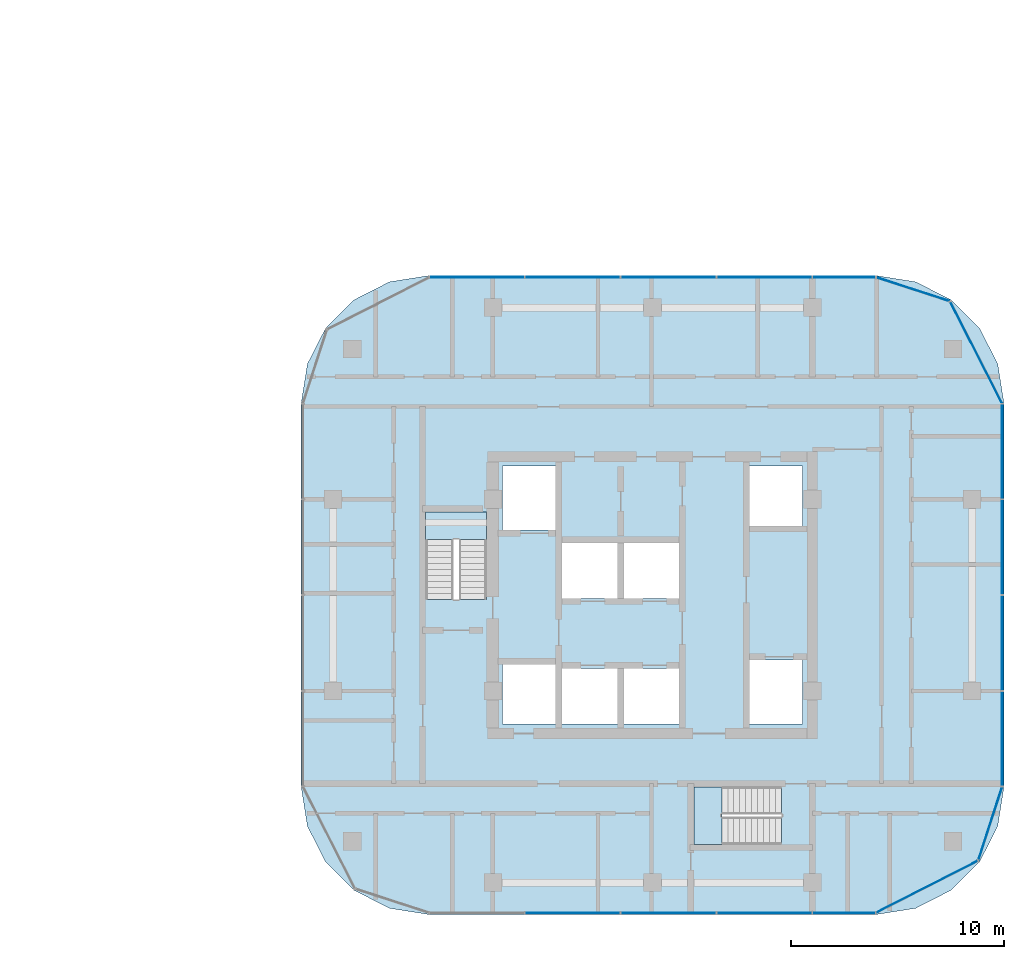
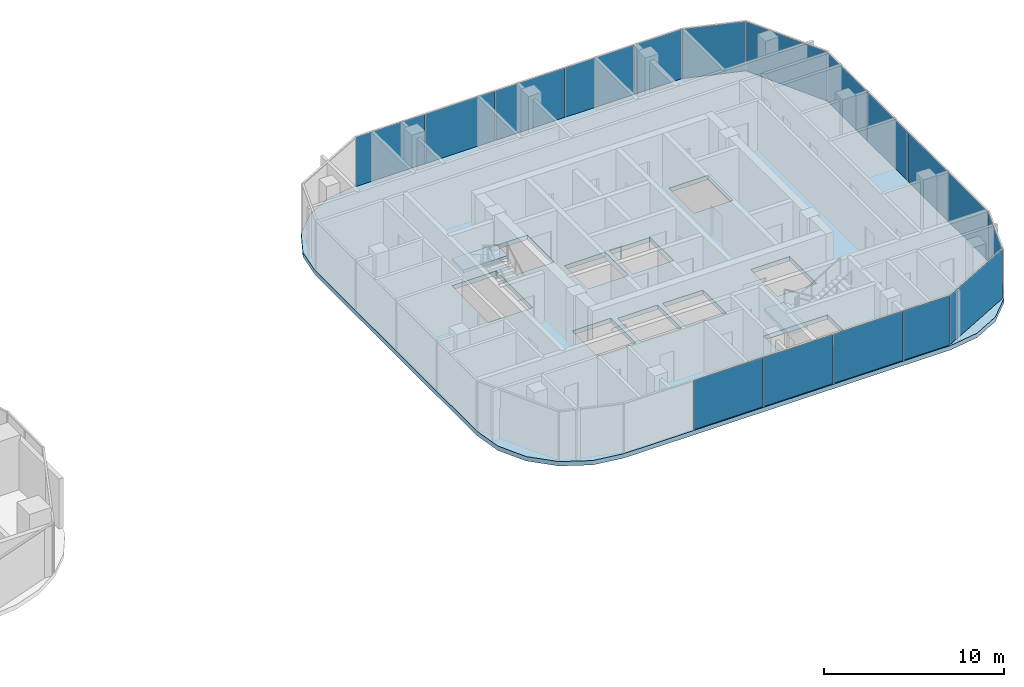
# One storey, part 13 of 31: 17 plates, 3 slabs, 7 elements without a shape of their own.
"""IFC4 building model written with IfcOpenShell, lengths in metres."""

import ifcopenshell
import ifcopenshell.guid

model = None  # the IFC model being written
_history = None  # IfcOwnerHistory: only IFC2X3 demands one
_inside = {}  # id of a spatial element -> (the spatial element, [elements in it])
_under = {}  # id of a project, library or spatial element -> (it, [spatial elements below it])
_declared = {}  # id of a project -> (the project, [libraries it declares])
_typed = {}  # id of a type object -> (the type object, [elements of that type])
_made_of = {}  # id of a material, layer set ... -> (it, [elements and type objects made of it])


def new_model(schema):
    """Start an empty IFC model of exactly this schema.

    Asked for "IFC4X3", IfcOpenShell would pick the latest addendum, in which some entities
    have other attributes; the version numbers below select the first issue.
    IFC2X3 requires an IfcOwnerHistory on every rooted entity: one is made here for all.
    """
    global model, _history
    if schema == "IFC4X3":
        model = ifcopenshell.file(schema_version=(4, 3, 0, 0))
    else:
        model = ifcopenshell.file(schema=schema)
    _inside.clear()
    _under.clear()
    _declared.clear()
    _typed.clear()
    _made_of.clear()
    _history = None
    if model.schema == "IFC2X3":
        org = make("IfcOrganization", Name="unknown")
        user = make(
            "IfcPersonAndOrganization",
            ThePerson=make("IfcPerson", FamilyName="unknown"),
            TheOrganization=org,
        )
        app = make(
            "IfcApplication",
            ApplicationDeveloper=org,
            Version="unknown",
            ApplicationFullName="unknown",
            ApplicationIdentifier="unknown",
        )
        _history = make(
            "IfcOwnerHistory",
            OwningUser=user,
            OwningApplication=app,
            ChangeAction="ADDED",
            CreationDate=0,
        )
    return model


def make(cls, **values):
    """One entity of the class cls with the attributes given. An attribute that is None is left unset."""
    return model.create_entity(
        cls, **{name: value for name, value in values.items() if value is not None}
    )


def rooted(cls, **values):
    """An entity with a GlobalId (a new one), such as an element, a storey or a relation."""
    return make(cls, GlobalId=ifcopenshell.guid.new(), OwnerHistory=_history, **values)


def si_unit(unit_type, name, prefix=None):
    """IfcSIUnit, for example si_unit("LENGTHUNIT", "METRE", prefix="MILLI")."""
    return make("IfcSIUnit", UnitType=unit_type, Prefix=prefix, Name=name)


def assignment(units):
    """IfcUnitAssignment: the units of a project."""
    return None if units is None else make("IfcUnitAssignment", Units=units)


def point(xyz):
    """IfcCartesianPoint."""
    return None if xyz is None else make("IfcCartesianPoint", Coordinates=xyz)


def direction(xyz):
    """IfcDirection."""
    return None if xyz is None else make("IfcDirection", DirectionRatios=xyz)


def frame(location, z_axis=None, x_axis=None):
    """IfcAxis2Placement3D, a coordinate frame: its origin and axes. An axis left out is left unset."""
    return make(
        "IfcAxis2Placement3D",
        Location=point(location),
        Axis=direction(z_axis),
        RefDirection=direction(x_axis),
    )


def frame_2d(location, x_axis=None):
    """IfcAxis2Placement2D, a coordinate frame in the plane: its origin and x axis."""
    return make(
        "IfcAxis2Placement2D", Location=point(location), RefDirection=direction(x_axis)
    )


def origin():
    """The frame at (0, 0, 0) with its axes left unset."""
    return frame((0.0, 0.0, 0.0))


def origin_2d():
    """The frame at (0, 0) in the plane with its x axis left unset."""
    return frame_2d((0.0, 0.0))


def place(relative_to, where):
    """IfcLocalPlacement: puts the frame where relative to a parent placement (None: the world)."""
    return make(
        "IfcLocalPlacement", PlacementRelTo=relative_to, RelativePlacement=where
    )


def context(
    kind, dimensions, precision=None, world=None, true_north=None, identifier=None
):
    """IfcGeometricRepresentationContext, for example the 3D "Model" context."""
    return make(
        "IfcGeometricRepresentationContext",
        ContextIdentifier=identifier,
        ContextType=kind,
        CoordinateSpaceDimension=dimensions,
        Precision=precision,
        WorldCoordinateSystem=world,
        TrueNorth=true_north,
    )


def subcontext(parent, identifier, kind, view, scale=None):
    """IfcGeometricRepresentationSubContext, for example "Body" below "Model"."""
    return make(
        "IfcGeometricRepresentationSubContext",
        ContextIdentifier=identifier,
        ContextType=kind,
        ParentContext=parent,
        TargetScale=scale,
        TargetView=view,
    )


def project(units=None, contexts=None):
    """IfcProject with its units and contexts."""
    return rooted(
        "IfcProject",
        Name="project",
        RepresentationContexts=contexts,
        UnitsInContext=assignment(units),
    )


def spatial(cls, under=None, at=None, **own):
    """A site, building, storey or space (cls), placed at a placement, below another one or the project."""
    s = rooted(cls, ObjectPlacement=at, **own)
    if under is not None:
        _under.setdefault(under.id(), (under, []))[1].append(s)
    return s


def polyline(points):
    """IfcPolyline through the points."""
    return make("IfcPolyline", Points=[point(p) for p in points])


def profile(cls, at=None, kind="AREA", **sizes):
    """A parametric profile (cls). Its sizes go by their IFC names, for example OverallWidth=200.0."""
    return make(cls, ProfileType=kind, Position=at, **sizes)


def rectangle(**sizes):
    """IfcRectangleProfileDef."""
    return profile("IfcRectangleProfileDef", **sizes)


def outline(outer, holes=None, kind="AREA"):
    """IfcArbitraryClosedProfileDef: a profile drawn as a closed curve; with holes, ...WithVoids."""
    if holes is None:
        return make("IfcArbitraryClosedProfileDef", ProfileType=kind, OuterCurve=outer)
    return make(
        "IfcArbitraryProfileDefWithVoids",
        ProfileType=kind,
        OuterCurve=outer,
        InnerCurves=holes,
    )


def extrude(swept, where, along, depth):
    """IfcExtrudedAreaSolid: the profile swept, set in the frame where, extruded along a direction by depth."""
    return make(
        "IfcExtrudedAreaSolid",
        SweptArea=swept,
        Position=where,
        ExtrudedDirection=direction(along),
        Depth=depth,
    )


def shape(context_of_items, identifier, shape_type, items):
    """IfcShapeRepresentation: the items that make up one representation, for example the "Body"."""
    return make(
        "IfcShapeRepresentation",
        ContextOfItems=context_of_items,
        RepresentationIdentifier=identifier,
        RepresentationType=shape_type,
        Items=items,
    )


def material(Name=None, Category=None):
    """IfcMaterial."""
    return make("IfcMaterial", Name=Name, Category=Category)


def layer(
    of_material, thickness, ventilated=None, Name=None, Category=None, Priority=None
):
    """IfcMaterialLayer: one layer of a wall or slab, of a material (None: an air gap)."""
    return make(
        "IfcMaterialLayer",
        Material=of_material,
        LayerThickness=thickness,
        IsVentilated=ventilated,
        Name=Name,
        Category=Category,
        Priority=Priority,
    )


def layer_set(layers, Name=None):
    """IfcMaterialLayerSet."""
    return make("IfcMaterialLayerSet", MaterialLayers=layers, LayerSetName=Name)


def made_of(thing, what):
    """Note that an element or type object is made of a material, layer set ...; save() writes the relation."""
    if what is not None:
        _made_of.setdefault(what.id(), (what, []))[1].append(thing)
    return thing


def type_object(cls, material=None, **own):
    """A type object (cls), such as IfcWallType, which elements share."""
    return made_of(rooted(cls, **own), material)


def element(
    cls,
    number,
    at=None,
    inside=None,
    cuts=None,
    type_object=None,
    material=None,
    context=None,
    identifier="Body",
    shape_type=None,
    held_by="IfcProductDefinitionShape",
    body=None,
    shapes=None,
    **own,
):
    """One element of the class cls, such as IfcWall. Its Tag is "e" and its number.

    at: its placement. inside: the storey or other place that contains it. cuts: it is an
    opening in that element (IfcRelVoidsElement). A single representation is given by context,
    identifier, shape_type and body (its items); several are given by shapes. held_by: the class
    of the entity that holds the representations. save() writes the other relations.
    """
    e = rooted(cls, Tag="e%d" % number, ObjectPlacement=at, **own)
    if body is not None:
        shapes = [shape(context, identifier, shape_type, body)]
    if shapes is not None:
        e.Representation = make(held_by, Representations=shapes)
    if inside is not None:
        _inside.setdefault(inside.id(), (inside, []))[1].append(e)
    if cuts is not None:
        rooted(
            "IfcRelVoidsElement", RelatingBuildingElement=cuts, RelatedOpeningElement=e
        )
    if type_object is not None:
        _typed.setdefault(type_object.id(), (type_object, []))[1].append(e)
    return made_of(e, material)


def aggregate(whole, parts):
    """IfcRelAggregates: a whole, such as a stair, and the parts it consists of."""
    return rooted("IfcRelAggregates", RelatingObject=whole, RelatedObjects=parts)


def save(model, path):
    """Write the relations noted so far, then the file.

    IfcRelAggregates (storeys below a building ...), IfcRelContainedInSpatialStructure (elements
    in a storey), IfcRelDefinesByType, IfcRelAssociatesMaterial and IfcRelDeclares: one each for
    every whole, place, type object, material and project.
    """
    for whole, parts in _under.values():
        aggregate(whole, parts)
    for where, things in _inside.values():
        rooted(
            "IfcRelContainedInSpatialStructure",
            RelatedElements=things,
            RelatingStructure=where,
        )
    for kind, things in _typed.values():
        rooted("IfcRelDefinesByType", RelatedObjects=things, RelatingType=kind)
    for what, things in _made_of.values():
        rooted("IfcRelAssociatesMaterial", RelatedObjects=things, RelatingMaterial=what)
    for by, libraries in _declared.values():
        rooted("IfcRelDeclares", RelatingContext=by, RelatedDefinitions=libraries)
    model.write(path)


model = new_model("IFC4")

# Units and contexts
model_context = context("Model", 3, precision=1e-05, world=origin(), true_north=direction((0.0, 1.0)))
body_context = subcontext(model_context, "Body", "Model", "MODEL_VIEW")
ifc_project = project(units=[si_unit("LENGTHUNIT", "METRE"), si_unit("AREAUNIT", "SQUARE_METRE"), si_unit("VOLUMEUNIT", "CUBIC_METRE"), si_unit("PLANEANGLEUNIT", "RADIAN"), si_unit("MASSUNIT", "GRAM", prefix="KILO")], contexts=[model_context])

# Site, building, storey
site_placement = place(None, origin())
site = spatial("IfcSite", under=ifc_project, at=site_placement, CompositionType="ELEMENT")
building_placement = place(site_placement, origin())
building = spatial("IfcBuilding", under=site, at=building_placement, Name="Ogive Portal Towers", CompositionType="ELEMENT")
storey_placement = place(building_placement, frame((0.0, 0.0, 74.199951171875)))
storey = spatial("IfcBuildingStorey", under=building, at=storey_placement, Name="L17", CompositionType="ELEMENT", Elevation=74.199951171875)

# Curtain wall, plates
ifc_material_1 = material(Name="Glass, clear low-iron insulated glazing", Category="glass")
curtain_wall_type = type_object("IfcCurtainWallType", Name="CW RESIDENCES RIBBON", PredefinedType="NOTDEFINED", material=ifc_material_1)
curtain_wall_1_placement = place(storey_placement, origin())
curtain_wall_1 = element("IfcCurtainWall", 1, at=curtain_wall_1_placement, inside=storey, type_object=curtain_wall_type, Name="B:L17:f02:cw0", PredefinedType="NOTDEFINED")
ifc_layer_1 = layer(ifc_material_1, 0.028076171875)
ifc_layer_set_1 = layer_set([ifc_layer_1], Name="CW PANEL IGU 28")
plate_type = type_object("IfcPlateType", Name="CW PANEL IGU 28", PredefinedType="CURTAIN_PANEL", material=ifc_layer_set_1)
plate_1_placement = place(storey_placement, frame((132.75, 16.080078125, 0.0), z_axis=(0.0, 0.0, 1.0), x_axis=(1.0, 0.0, 0.0)))
plate_1 = element("IfcPlate", 2, at=plate_1_placement, type_object=plate_type, Name="panel", PredefinedType="CURTAIN_PANEL", context=body_context, shape_type="SweptSolid", body=[
    extrude(rectangle(XDim=4.43994140625, YDim=0.028076171875, at=origin_2d()), origin(), (0.0, 0.0, 1.0), 3.340087890625),
])
plate_2_placement = place(storey_placement, frame((137.25, 16.080078125, 0.0), z_axis=(0.0, 0.0, 1.0), x_axis=(1.0, 0.0, 0.0)))
plate_2 = element("IfcPlate", 3, at=plate_2_placement, type_object=plate_type, Name="panel", PredefinedType="CURTAIN_PANEL", context=body_context, shape_type="SweptSolid", body=[
    extrude(rectangle(XDim=4.43994140625, YDim=0.028076171875, at=origin_2d()), origin(), (0.0, 0.0, 1.0), 3.340087890625),
])
plate_3_placement = place(storey_placement, frame((141.75, 16.080078125, 0.0), z_axis=(0.0, 0.0, 1.0), x_axis=(1.0, 0.0, 0.0)))
plate_3 = element("IfcPlate", 4, at=plate_3_placement, type_object=plate_type, Name="panel", PredefinedType="CURTAIN_PANEL", context=body_context, shape_type="SweptSolid", body=[
    extrude(rectangle(XDim=4.43994140625, YDim=0.028076171875, at=origin_2d()), origin(), (0.0, 0.0, 1.0), 3.340087890625),
])
plate_4_placement = place(storey_placement, frame((145.490478515625, 16.080078125, 0.0), z_axis=(0.0, 0.0, 1.0), x_axis=(1.0, 0.0, 0.0)))
plate_4 = element("IfcPlate", 5, at=plate_4_placement, type_object=plate_type, Name="panel", PredefinedType="CURTAIN_PANEL", context=body_context, shape_type="SweptSolid", body=[
    extrude(rectangle(XDim=2.9208984375, YDim=0.028076171875, at=origin_2d()), origin(), (0.0, 0.0, 1.0), 3.340087890625),
])
aggregate(curtain_wall_1, [plate_1, plate_2, plate_3, plate_4])

curtain_wall_2_placement = place(storey_placement, origin())
curtain_wall_2 = element("IfcCurtainWall", 6, at=curtain_wall_2_placement, inside=storey, type_object=curtain_wall_type, Name="B:L17:f05:cw0", PredefinedType="NOTDEFINED")
plate_5_placement = place(storey_placement, frame((152.919921875, 24.25634765625, 0.0), z_axis=(0.0, 0.0, 1.0), x_axis=(0.0, 1.0, 0.0)))
plate_5 = element("IfcPlate", 7, at=plate_5_placement, type_object=plate_type, Name="panel", PredefinedType="CURTAIN_PANEL", context=body_context, shape_type="SweptSolid", body=[
    extrude(rectangle(XDim=4.42724609375, YDim=0.028076171875, at=origin_2d()), origin(), (0.0, 0.0, 1.0), 3.340087890625),
])
plate_6_placement = place(storey_placement, frame((152.919921875, 28.75, 0.0), z_axis=(0.0, 0.0, 1.0), x_axis=(0.0, 1.0, 0.0)))
plate_6 = element("IfcPlate", 8, at=plate_6_placement, type_object=plate_type, Name="panel", PredefinedType="CURTAIN_PANEL", context=body_context, shape_type="SweptSolid", body=[
    extrude(rectangle(XDim=4.43994140625, YDim=0.028076171875, at=origin_2d()), origin(), (0.0, 0.0, 1.0), 3.340087890625),
])
plate_7_placement = place(storey_placement, frame((152.919921875, 33.25, 0.0), z_axis=(0.0, 0.0, 1.0), x_axis=(0.0, 1.0, 0.0)))
plate_7 = element("IfcPlate", 9, at=plate_7_placement, type_object=plate_type, Name="panel", PredefinedType="CURTAIN_PANEL", context=body_context, shape_type="SweptSolid", body=[
    extrude(rectangle(XDim=4.43994140625, YDim=0.028076171875, at=origin_2d()), origin(), (0.0, 0.0, 1.0), 3.340087890625),
])
plate_8_placement = place(storey_placement, frame((152.919921875, 37.740478515625, 0.0), z_axis=(0.0, 0.0, 1.0), x_axis=(0.0, 1.0, 0.0)))
plate_8 = element("IfcPlate", 10, at=plate_8_placement, type_object=plate_type, Name="panel", PredefinedType="CURTAIN_PANEL", context=body_context, shape_type="SweptSolid", body=[
    extrude(rectangle(XDim=4.4208984375, YDim=0.028076171875, at=origin_2d()), origin(), (0.0, 0.0, 1.0), 3.340087890625),
])
aggregate(curtain_wall_2, [plate_5, plate_6, plate_7, plate_8])

curtain_wall_3_placement = place(storey_placement, origin())
curtain_wall_3 = element("IfcCurtainWall", 11, at=curtain_wall_3_placement, inside=storey, type_object=curtain_wall_type, Name="B:L17:f08:cw0", PredefinedType="NOTDEFINED")
plate_9_placement = place(storey_placement, frame((145.49365234375, 45.919921875, 0.0), z_axis=(0.0, 0.0, 1.0), x_axis=(-1.0, 0.0, 0.0)))
plate_9 = element("IfcPlate", 12, at=plate_9_placement, type_object=plate_type, Name="panel", PredefinedType="CURTAIN_PANEL", context=body_context, shape_type="SweptSolid", body=[
    extrude(rectangle(XDim=2.92724609375, YDim=0.028076171875, at=origin_2d()), origin(), (0.0, 0.0, 1.0), 3.340087890625),
])
plate_10_placement = place(storey_placement, frame((141.75, 45.919921875, 0.0), z_axis=(0.0, 0.0, 1.0), x_axis=(-1.0, 0.0, 0.0)))
plate_10 = element("IfcPlate", 13, at=plate_10_placement, type_object=plate_type, Name="panel", PredefinedType="CURTAIN_PANEL", context=body_context, shape_type="SweptSolid", body=[
    extrude(rectangle(XDim=4.43994140625, YDim=0.028076171875, at=origin_2d()), origin(), (0.0, 0.0, 1.0), 3.340087890625),
])
plate_11_placement = place(storey_placement, frame((137.25, 45.919921875, 0.0), z_axis=(0.0, 0.0, 1.0), x_axis=(-1.0, 0.0, 0.0)))
plate_11 = element("IfcPlate", 14, at=plate_11_placement, type_object=plate_type, Name="panel", PredefinedType="CURTAIN_PANEL", context=body_context, shape_type="SweptSolid", body=[
    extrude(rectangle(XDim=4.43994140625, YDim=0.028076171875, at=origin_2d()), origin(), (0.0, 0.0, 1.0), 3.340087890625),
])
plate_12_placement = place(storey_placement, frame((132.75, 45.919921875, 0.0), z_axis=(0.0, 0.0, 1.0), x_axis=(-1.0, 0.0, 0.0)))
plate_12 = element("IfcPlate", 15, at=plate_12_placement, type_object=plate_type, Name="panel", PredefinedType="CURTAIN_PANEL", context=body_context, shape_type="SweptSolid", body=[
    extrude(rectangle(XDim=4.43994140625, YDim=0.028076171875, at=origin_2d()), origin(), (0.0, 0.0, 1.0), 3.340087890625),
])
plate_13_placement = place(storey_placement, frame((128.259521484375, 45.919921875, 0.0), z_axis=(0.0, 0.0, 1.0), x_axis=(-1.0, 0.0, 0.0)))
plate_13 = element("IfcPlate", 16, at=plate_13_placement, type_object=plate_type, Name="panel", PredefinedType="CURTAIN_PANEL", context=body_context, shape_type="SweptSolid", body=[
    extrude(rectangle(XDim=4.4208984375, YDim=0.028076171875, at=origin_2d()), origin(), (0.0, 0.0, 1.0), 3.340087890625),
])
aggregate(curtain_wall_3, [plate_9, plate_10, plate_11, plate_12, plate_13])

curtain_wall_4_placement = place(storey_placement, origin())
curtain_wall_4 = element("IfcCurtainWall", 17, at=curtain_wall_4_placement, inside=storey, type_object=curtain_wall_type, Name="B:L17:f03:cwa", PredefinedType="NOTDEFINED")
plate_14_placement = place(storey_placement, frame((149.384521484375, 17.3046875, 0.0), z_axis=(0.0, 0.0, 1.0), x_axis=(0.891006524188, 0.45399049974, 0.0)))
plate_14 = element("IfcPlate", 18, at=plate_14_placement, type_object=plate_type, Name="panel", PredefinedType="CURTAIN_PANEL", context=body_context, shape_type="SweptSolid", body=[
    extrude(rectangle(XDim=5.33544921875, YDim=0.028076171875, at=origin_2d()), origin(), (0.0, 0.0, 1.0), 3.340087890625),
])
plate_15_placement = place(storey_placement, frame((152.354248046875, 20.27099609375, 0.0), z_axis=(0.0, 0.0, 1.0), x_axis=(0.309016994375, 0.951056516295, 0.0)))
plate_15 = element("IfcPlate", 19, at=plate_15_placement, type_object=plate_type, Name="panel", PredefinedType="CURTAIN_PANEL", context=body_context, shape_type="SweptSolid", body=[
    extrude(rectangle(XDim=3.602294921875, YDim=0.028076171875, at=origin_2d()), origin(), (0.0, 0.0, 1.0), 3.340087890625),
])
aggregate(curtain_wall_4, [plate_14, plate_15])

curtain_wall_5_placement = place(storey_placement, origin())
curtain_wall_5 = element("IfcCurtainWall", 20, at=curtain_wall_5_placement, inside=storey, type_object=curtain_wall_type, Name="B:L17:f06:cwa", PredefinedType="NOTDEFINED")
plate_16_placement = place(storey_placement, frame((151.6953125, 42.384521484375, 0.0), z_axis=(0.0, 0.0, 1.0), x_axis=(-0.45399049974, 0.891006524188, 0.0)))
plate_16 = element("IfcPlate", 21, at=plate_16_placement, type_object=plate_type, Name="panel", PredefinedType="CURTAIN_PANEL", context=body_context, shape_type="SweptSolid", body=[
    extrude(rectangle(XDim=5.33544921875, YDim=0.028076171875, at=origin_2d()), origin(), (0.0, 0.0, 1.0), 3.340087890625),
])
plate_17_placement = place(storey_placement, frame((148.72900390625, 45.354248046875, 0.0), z_axis=(0.0, 0.0, 1.0), x_axis=(-0.951056516295, 0.309016994375, 0.0)))
plate_17 = element("IfcPlate", 22, at=plate_17_placement, type_object=plate_type, Name="panel", PredefinedType="CURTAIN_PANEL", context=body_context, shape_type="SweptSolid", body=[
    extrude(rectangle(XDim=3.602294921875, YDim=0.028076171875, at=origin_2d()), origin(), (0.0, 0.0, 1.0), 3.340087890625),
])
aggregate(curtain_wall_5, [plate_16, plate_17])

# Stair, slab
ifc_material_2 = material(Name="Concrete C40/50", Category="concrete")
stair_type = type_object("IfcStairType", Name="INT-STAIR", PredefinedType="HALF_TURN_STAIR", material=ifc_material_2)
stair_1_placement = place(storey_placement, origin())
stair_1 = element("IfcStair", 23, at=stair_1_placement, inside=storey, type_object=stair_type, Name="L17 Exit Stair ST-B1", PredefinedType="HALF_TURN_STAIR")
ifc_layer_2 = layer(ifc_material_2, 0.199951171875)
ifc_layer_set_2 = layer_set([ifc_layer_2], Name="INT-LANDING")
slab_type_1 = type_object("IfcSlabType", Name="INT-LANDING", PredefinedType="LANDING", material=ifc_layer_set_2)
slab_1_placement = place(storey_placement, frame((0.0, 0.0, 1.650146484375)))
slab_1 = element("IfcSlab", 24, at=slab_1_placement, type_object=slab_type_1, Name="ST-B1 landing 1", PredefinedType="LANDING", context=body_context, shape_type="SweptSolid", body=[
    extrude(outline(polyline([(128.699951171875, 33.60009765625), (128.699951171875, 34.89990234375), (125.85009765625, 34.89990234375), (125.85009765625, 33.60009765625), (128.699951171875, 33.60009765625)])), origin(), (0.0, 0.0, 1.0), 0.199951171875),
])
aggregate(stair_1, [slab_1])

stair_2_placement = place(storey_placement, origin())
stair_2 = element("IfcStair", 25, at=stair_2_placement, inside=storey, type_object=stair_type, Name="L17 Exit Stair ST-B2", PredefinedType="HALF_TURN_STAIR")
slab_2_placement = place(storey_placement, frame((0.0, 0.0, 1.650146484375)))
slab_2 = element("IfcSlab", 26, at=slab_2_placement, type_object=slab_type_1, Name="ST-B2 landing 1", PredefinedType="LANDING", context=body_context, shape_type="SweptSolid", body=[
    extrude(outline(polyline([(139.75, 22.0), (138.449951171875, 22.0), (138.449951171875, 19.300048828125), (139.75, 19.300048828125), (139.75, 22.0)])), origin(), (0.0, 0.0, 1.0), 0.199951171875),
])
aggregate(stair_2, [slab_2])

# Slab
ifc_material_3 = material(Name="Concrete C45/55", Category="concrete")
ifc_layer_3 = layer(ifc_material_3, 0.300048828125)
ifc_layer_set_3 = layer_set([ifc_layer_3], Name="PT FLAT PLATE 300")
slab_type_2 = type_object("IfcSlabType", Name="PT FLAT PLATE 300", PredefinedType="FLOOR", material=ifc_layer_set_3)
slab_3_placement = place(storey_placement, frame((0.0, 0.0, -0.300048828125)))
element("IfcSlab", 27, at=slab_3_placement, inside=storey, type_object=slab_type_2, Name="Floor slab L17", PredefinedType="FLOOR", context=body_context, shape_type="SweptSolid", body=[
    extrude(outline(polyline([(120.0, 40.0), (120.0, 22.0), (120.293701171875, 20.14599609375), (121.14599609375, 18.473388671875), (122.473388671875, 17.14599609375), (124.14599609375, 16.293701171875), (126.0, 16.0), (147.0, 16.0), (148.85400390625, 16.293701171875), (150.526611328125, 17.14599609375), (151.85400390625, 18.473388671875), (152.706298828125, 20.14599609375), (153.0, 22.0), (153.0, 40.0), (152.706298828125, 41.85400390625), (151.85400390625, 43.526611328125), (150.526611328125, 44.85400390625), (148.85400390625, 45.706298828125), (147.0, 46.0), (126.0, 46.0), (124.14599609375, 45.706298828125), (122.473388671875, 44.85400390625), (121.14599609375, 43.526611328125), (120.293701171875, 41.85400390625), (120.0, 40.0)]), holes=[polyline([(131.949951171875, 27.75), (131.949951171875, 24.949951171875), (129.449951171875, 24.949951171875), (129.449951171875, 27.75), (131.949951171875, 27.75)]), polyline([(128.697998046875, 34.89794921875), (128.697998046875, 30.802001953125), (125.85205078125, 30.802001953125), (125.85205078125, 34.89794921875), (128.697998046875, 34.89794921875)]), polyline([(131.949951171875, 37.050048828125), (131.949951171875, 34.050048828125), (129.449951171875, 34.050048828125), (129.449951171875, 37.050048828125), (131.949951171875, 37.050048828125)]), polyline([(138.451904296875, 21.998046875), (142.548095703125, 21.998046875), (142.548095703125, 19.302001953125), (138.451904296875, 19.302001953125), (138.451904296875, 21.998046875)]), polyline([(134.85009765625, 27.550048828125), (134.85009765625, 24.949951171875), (132.25, 24.949951171875), (132.25, 27.550048828125), (134.85009765625, 27.550048828125)]), polyline([(137.75, 27.550048828125), (137.75, 24.949951171875), (135.14990234375, 24.949951171875), (135.14990234375, 27.550048828125), (137.75, 27.550048828125)]), polyline([(143.550048828125, 27.949951171875), (143.550048828125, 24.949951171875), (141.050048828125, 24.949951171875), (141.050048828125, 27.949951171875), (143.550048828125, 27.949951171875)]), polyline([(134.85009765625, 33.449951171875), (134.85009765625, 30.85009765625), (132.25, 30.85009765625), (132.25, 33.449951171875), (134.85009765625, 33.449951171875)]), polyline([(137.75, 33.449951171875), (137.75, 30.85009765625), (135.14990234375, 30.85009765625), (135.14990234375, 33.449951171875), (137.75, 33.449951171875)]), polyline([(141.050048828125, 37.050048828125), (143.550048828125, 37.050048828125), (143.550048828125, 34.25), (141.050048828125, 34.25), (141.050048828125, 37.050048828125)])]), origin(), (0.0, 0.0, 1.0), 0.300048828125),
])

save(model, "model.ifc")
